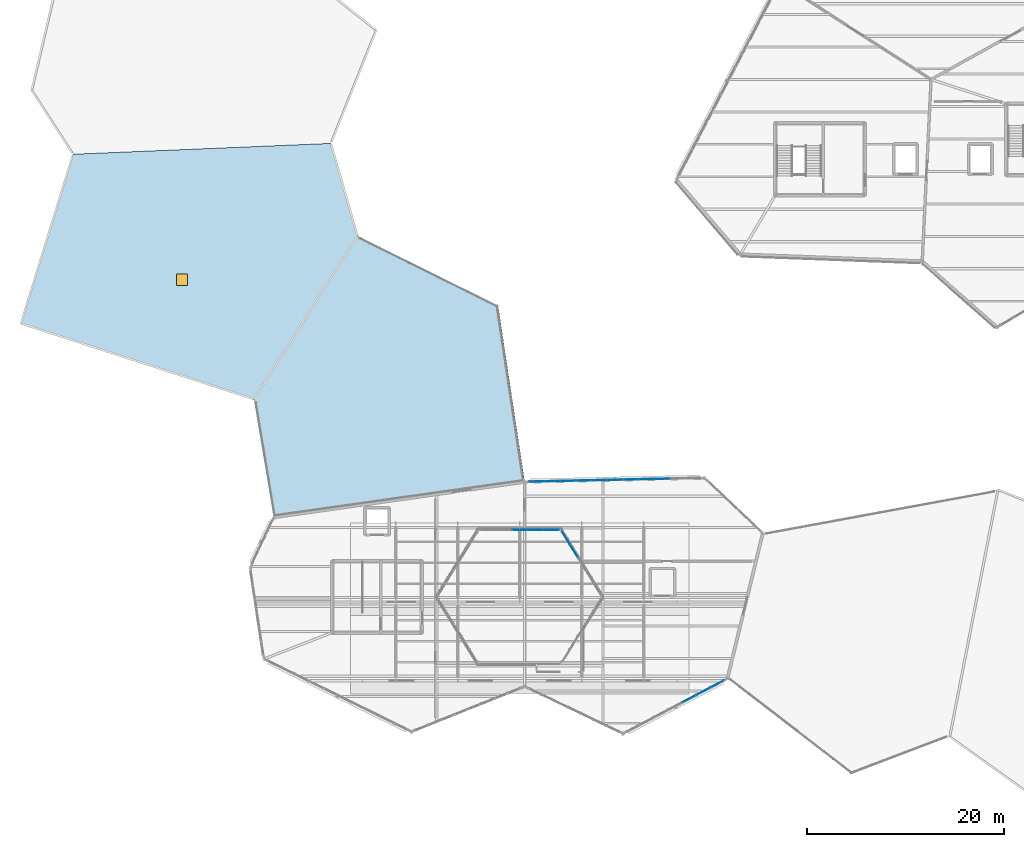
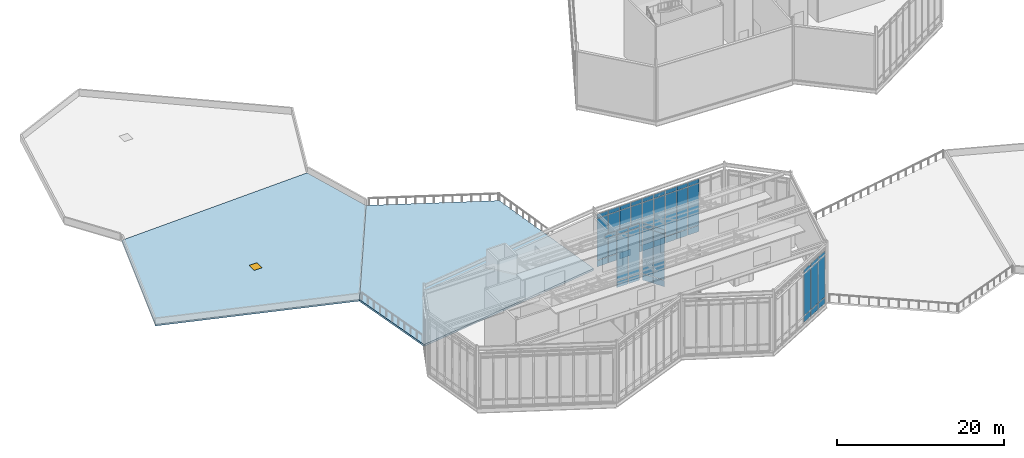
# One storey, part 45 of 66: 49 plates, 2 slabs, 1 door, 1 opening, 4 elements without a shape of their own.
"""IFC4 building model written with IfcOpenShell, lengths in metres."""

from ifc_helpers import new_model, si_unit, direction, frame, origin, origin_2d, place, context, subcontext, project, spatial, polyline, rectangle, outline, extrude, material, layer, layer_set, type_object, element, fill, aggregate, save


model = new_model("IFC4")

# Units and contexts
model_context = context("Model", 3, precision=1e-05, world=origin(), true_north=direction((0.0, 1.0)))
body_context = subcontext(model_context, "Body", "Model", "MODEL_VIEW")
ifc_project = project(units=[si_unit("LENGTHUNIT", "METRE"), si_unit("AREAUNIT", "SQUARE_METRE"), si_unit("VOLUMEUNIT", "CUBIC_METRE"), si_unit("PLANEANGLEUNIT", "RADIAN"), si_unit("MASSUNIT", "GRAM", prefix="KILO")], contexts=[model_context])

# Site, building, storey
site_placement = place(None, origin())
site = spatial("IfcSite", under=ifc_project, at=site_placement, CompositionType="ELEMENT")
building_placement = place(site_placement, origin())
building = spatial("IfcBuilding", under=site, at=building_placement, Name="Tameran Prism Museum", CompositionType="ELEMENT")
storey_placement = place(building_placement, frame((0.0, 0.0, 19.800048828125)))
storey = spatial("IfcBuildingStorey", under=building, at=storey_placement, Name="L04", CompositionType="ELEMENT", Elevation=19.800048828125)

# Curtain wall, plates
ifc_material_1 = material(Name="Anodised Aluminium 6063-T6 and Cyclone Solar Glass", Category="aluminium")
curtain_wall_type_1 = type_object("IfcCurtainWallType", Name="CW-ATR-769x844", PredefinedType="USERDEFINED", material=ifc_material_1)
curtain_wall_1_placement = place(storey_placement, origin())
curtain_wall_1 = element("IfcCurtainWall", 1, at=curtain_wall_1_placement, inside=storey, type_object=curtain_wall_type_1, Name="Unitised Curtain Wall CW-018", ObjectType="UNITISED CURTAIN WALL", PredefinedType="USERDEFINED")
ifc_material_2 = material(Name="Low-E Laminated Solar Glass", Category="glass")
ifc_layer_1 = layer(ifc_material_2, 0.028076171875)
ifc_layer_set_1 = layer_set([ifc_layer_1])
plate_type_1 = type_object("IfcPlateType", Name="CW-PNL-G28", PredefinedType="CURTAIN_PANEL", material=ifc_layer_set_1)
plate_1_placement = place(storey_placement, frame((82.49169921875, 41.208740234375, 0.06494140625), z_axis=(0.0, 0.0, 1.0), x_axis=(-0.525503952357, 0.850791158897, 0.0)))
plate_1 = element("IfcPlate", 2, at=plate_1_placement, type_object=plate_type_1, Name="CW-018 panel 4.1", PredefinedType="CURTAIN_PANEL", context=body_context, shape_type="SweptSolid", body=[
    extrude(rectangle(XDim=1.473388671875, YDim=0.028076171875, at=origin_2d()), origin(), (0.0, 0.0, 1.0), 0.902587890625),
])
plate_2_placement = place(storey_placement, frame((82.49169921875, 41.208740234375, 1.0322265625), z_axis=(0.0, 0.0, 1.0), x_axis=(-0.525503952357, 0.850791158897, 0.0)))
plate_2 = element("IfcPlate", 3, at=plate_2_placement, type_object=plate_type_1, Name="CW-018 panel 4.2", PredefinedType="CURTAIN_PANEL", context=body_context, shape_type="SweptSolid", body=[
    extrude(rectangle(XDim=1.473388671875, YDim=0.028076171875, at=origin_2d()), origin(), (0.0, 0.0, 1.0), 6.695068359375),
])
plate_3_placement = place(storey_placement, frame((82.49169921875, 41.208740234375, 7.79248046875), z_axis=(0.0, 0.0, 1.0), x_axis=(-0.525503952357, 0.850791158897, 0.0)))
plate_3 = element("IfcPlate", 4, at=plate_3_placement, type_object=plate_type_1, Name="CW-018 panel 4.3", PredefinedType="CURTAIN_PANEL", context=body_context, shape_type="SweptSolid", body=[
    extrude(rectangle(XDim=1.473388671875, YDim=0.028076171875, at=origin_2d()), origin(), (0.0, 0.0, 1.0), 0.58251953125),
])
plate_4_placement = place(storey_placement, frame((81.691650390625, 42.503662109375, 0.06494140625), z_axis=(0.0, 0.0, 1.0), x_axis=(-0.525503952357, 0.850791158897, 0.0)))
plate_4 = element("IfcPlate", 5, at=plate_4_placement, type_object=plate_type_1, Name="CW-018 panel 5.1", PredefinedType="CURTAIN_PANEL", context=body_context, shape_type="SweptSolid", body=[
    extrude(rectangle(XDim=1.44091796875, YDim=0.028076171875, at=origin_2d()), origin(), (0.0, 0.0, 1.0), 0.902587890625),
])
plate_5_placement = place(storey_placement, frame((81.691650390625, 42.503662109375, 1.0322265625), z_axis=(0.0, 0.0, 1.0), x_axis=(-0.525503952357, 0.850791158897, 0.0)))
plate_5 = element("IfcPlate", 6, at=plate_5_placement, type_object=plate_type_1, Name="CW-018 panel 5.2", PredefinedType="CURTAIN_PANEL", context=body_context, shape_type="SweptSolid", body=[
    extrude(rectangle(XDim=1.44091796875, YDim=0.028076171875, at=origin_2d()), origin(), (0.0, 0.0, 1.0), 6.695068359375),
])
plate_6_placement = place(storey_placement, frame((81.691650390625, 42.503662109375, 7.79248046875), z_axis=(0.0, 0.0, 1.0), x_axis=(-0.525503952357, 0.850791158897, 0.0)))
plate_6 = element("IfcPlate", 7, at=plate_6_placement, type_object=plate_type_1, Name="CW-018 panel 5.3", PredefinedType="CURTAIN_PANEL", context=body_context, shape_type="SweptSolid", body=[
    extrude(rectangle(XDim=1.44091796875, YDim=0.028076171875, at=origin_2d()), origin(), (0.0, 0.0, 1.0), 0.58251953125),
])
aggregate(curtain_wall_1, [plate_1, plate_2, plate_3, plate_4, plate_5, plate_6])

ifc_material_3 = material(Name="Anodised Aluminium 6063-T6 and Cyclone Solar Glass", Category="aluminium")
curtain_wall_type_2 = type_object("IfcCurtainWallType", Name="CW-ATR-810x844", PredefinedType="USERDEFINED", material=ifc_material_3)
curtain_wall_2_placement = place(storey_placement, origin())
curtain_wall_2 = element("IfcCurtainWall", 8, at=curtain_wall_2_placement, inside=storey, type_object=curtain_wall_type_2, Name="Unitised Curtain Wall CW-019", ObjectType="UNITISED CURTAIN WALL", PredefinedType="USERDEFINED")
plate_7_placement = place(storey_placement, frame((80.2236328125, 43.300048828125, 0.06494140625), z_axis=(0.0, 0.0, 1.0), x_axis=(-1.0, 0.0, 0.0)))
plate_7 = element("IfcPlate", 9, at=plate_7_placement, type_object=plate_type_1, Name="CW-019 panel 1.1", PredefinedType="CURTAIN_PANEL", context=body_context, shape_type="SweptSolid", body=[
    extrude(rectangle(XDim=1.5224609375, YDim=0.028076171875, at=origin_2d()), origin(), (0.0, 0.0, 1.0), 0.902587890625),
])
plate_8_placement = place(storey_placement, frame((80.2236328125, 43.300048828125, 1.0322265625), z_axis=(0.0, 0.0, 1.0), x_axis=(-1.0, 0.0, 0.0)))
plate_8 = element("IfcPlate", 10, at=plate_8_placement, type_object=plate_type_1, Name="CW-019 panel 1.2", PredefinedType="CURTAIN_PANEL", context=body_context, shape_type="SweptSolid", body=[
    extrude(rectangle(XDim=1.5224609375, YDim=0.028076171875, at=origin_2d()), origin(), (0.0, 0.0, 1.0), 6.695068359375),
])
plate_9_placement = place(storey_placement, frame((80.2236328125, 43.300048828125, 7.79248046875), z_axis=(0.0, 0.0, 1.0), x_axis=(-1.0, 0.0, 0.0)))
plate_9 = element("IfcPlate", 11, at=plate_9_placement, type_object=plate_type_1, Name="CW-019 panel 1.3", PredefinedType="CURTAIN_PANEL", context=body_context, shape_type="SweptSolid", body=[
    extrude(rectangle(XDim=1.5224609375, YDim=0.028076171875, at=origin_2d()), origin(), (0.0, 0.0, 1.0), 0.58251953125),
])
plate_10_placement = place(storey_placement, frame((78.6201171875, 43.300048828125, 0.06494140625), z_axis=(0.0, 0.0, 1.0), x_axis=(-1.0, 0.0, 0.0)))
plate_10 = element("IfcPlate", 12, at=plate_10_placement, type_object=plate_type_1, Name="CW-019 panel 2.1", PredefinedType="CURTAIN_PANEL", context=body_context, shape_type="SweptSolid", body=[
    extrude(rectangle(XDim=1.554931640625, YDim=0.028076171875, at=origin_2d()), origin(), (0.0, 0.0, 1.0), 0.902587890625),
])
plate_11_placement = place(storey_placement, frame((78.6201171875, 43.300048828125, 1.0322265625), z_axis=(0.0, 0.0, 1.0), x_axis=(-1.0, 0.0, 0.0)))
plate_11 = element("IfcPlate", 13, at=plate_11_placement, type_object=plate_type_1, Name="CW-019 panel 2.2", PredefinedType="CURTAIN_PANEL", context=body_context, shape_type="SweptSolid", body=[
    extrude(rectangle(XDim=1.554931640625, YDim=0.028076171875, at=origin_2d()), origin(), (0.0, 0.0, 1.0), 6.695068359375),
])
plate_12_placement = place(storey_placement, frame((78.6201171875, 43.300048828125, 7.79248046875), z_axis=(0.0, 0.0, 1.0), x_axis=(-1.0, 0.0, 0.0)))
plate_12 = element("IfcPlate", 14, at=plate_12_placement, type_object=plate_type_1, Name="CW-019 panel 2.3", PredefinedType="CURTAIN_PANEL", context=body_context, shape_type="SweptSolid", body=[
    extrude(rectangle(XDim=1.554931640625, YDim=0.028076171875, at=origin_2d()), origin(), (0.0, 0.0, 1.0), 0.58251953125),
])
plate_13_placement = place(storey_placement, frame((77.0, 43.300048828125, 7.79248046875), z_axis=(0.0, 0.0, 1.0), x_axis=(-1.0, 0.0, 0.0)))
plate_13 = element("IfcPlate", 15, at=plate_13_placement, type_object=plate_type_1, Name="CW-019 panel 3.3", PredefinedType="CURTAIN_PANEL", context=body_context, shape_type="SweptSolid", body=[
    extrude(rectangle(XDim=1.554931640625, YDim=0.028076171875, at=origin_2d()), origin(), (0.0, 0.0, 1.0), 0.58251953125),
])
aggregate(curtain_wall_2, [plate_7, plate_8, plate_9, plate_10, plate_11, plate_12, plate_13])

ifc_material_4 = material(Name="Anodised Aluminium 6063-T6 and Cyclone Solar Glass", Category="aluminium")
curtain_wall_type_3 = type_object("IfcCurtainWallType", Name="CW-FAC-1129x782", PredefinedType="USERDEFINED", material=ifc_material_4)
curtain_wall_3_placement = place(storey_placement, origin())
curtain_wall_3 = element("IfcCurtainWall", 16, at=curtain_wall_3_placement, inside=storey, type_object=curtain_wall_type_3, Name="Unitised Curtain Wall CW-161", ObjectType="UNITISED CURTAIN WALL", PredefinedType="USERDEFINED")
plate_14_placement = place(storey_placement, frame((97.0615234375, 27.651611328125, 0.0751953125), z_axis=(0.0, 0.0, 1.0), x_axis=(-0.884175436294, -0.467155004099, 0.0)))
plate_14 = element("IfcPlate", 17, at=plate_14_placement, type_object=plate_type_1, Name="CW-161 panel 1.1", PredefinedType="CURTAIN_PANEL", context=body_context, shape_type="SweptSolid", body=[
    extrude(rectangle(XDim=1.500244140625, YDim=0.028076171875, at=origin_2d()), origin(), (0.0, 0.0, 1.0), 0.887451171875),
])
plate_15_placement = place(storey_placement, frame((97.0615234375, 27.651611328125, 1.03759765625), z_axis=(0.0, 0.0, 1.0), x_axis=(-0.884175436294, -0.467155004099, 0.0)))
plate_15 = element("IfcPlate", 18, at=plate_15_placement, type_object=plate_type_1, Name="CW-161 panel 1.2", PredefinedType="CURTAIN_PANEL", context=body_context, shape_type="SweptSolid", body=[
    extrude(rectangle(XDim=1.500244140625, YDim=0.028076171875, at=origin_2d()), origin(), (0.0, 0.0, 1.0), 6.06494140625),
])
plate_16_placement = place(storey_placement, frame((97.0615234375, 27.651611328125, 7.177490234375), z_axis=(0.0, 0.0, 1.0), x_axis=(-0.884175436294, -0.467155004099, 0.0)))
plate_16 = element("IfcPlate", 19, at=plate_16_placement, type_object=plate_type_1, Name="CW-161 panel 1.3", PredefinedType="CURTAIN_PANEL", context=body_context, shape_type="SweptSolid", body=[
    extrude(rectangle(XDim=1.500244140625, YDim=0.028076171875, at=origin_2d()), origin(), (0.0, 0.0, 1.0), 0.5673828125),
])
plate_17_placement = place(storey_placement, frame((95.652099609375, 26.90673828125, 0.0751953125), z_axis=(0.0, 0.0, 1.0), x_axis=(-0.884175436294, -0.467155004099, 0.0)))
plate_17 = element("IfcPlate", 20, at=plate_17_placement, type_object=plate_type_1, Name="CW-161 panel 2.1", PredefinedType="CURTAIN_PANEL", context=body_context, shape_type="SweptSolid", body=[
    extrude(rectangle(XDim=1.537841796875, YDim=0.028076171875, at=origin_2d()), origin(), (0.0, 0.0, 1.0), 0.887451171875),
])
plate_18_placement = place(storey_placement, frame((95.652099609375, 26.90673828125, 1.03759765625), z_axis=(0.0, 0.0, 1.0), x_axis=(-0.884175436294, -0.467155004099, 0.0)))
plate_18 = element("IfcPlate", 21, at=plate_18_placement, type_object=plate_type_1, Name="CW-161 panel 2.2", PredefinedType="CURTAIN_PANEL", context=body_context, shape_type="SweptSolid", body=[
    extrude(rectangle(XDim=1.537841796875, YDim=0.028076171875, at=origin_2d()), origin(), (0.0, 0.0, 1.0), 6.06494140625),
])
plate_19_placement = place(storey_placement, frame((95.652099609375, 26.90673828125, 7.177490234375), z_axis=(0.0, 0.0, 1.0), x_axis=(-0.884175436294, -0.467155004099, 0.0)))
plate_19 = element("IfcPlate", 22, at=plate_19_placement, type_object=plate_type_1, Name="CW-161 panel 2.3", PredefinedType="CURTAIN_PANEL", context=body_context, shape_type="SweptSolid", body=[
    extrude(rectangle(XDim=1.537841796875, YDim=0.028076171875, at=origin_2d()), origin(), (0.0, 0.0, 1.0), 0.5673828125),
])
plate_20_placement = place(storey_placement, frame((94.22607421875, 26.1533203125, 0.0751953125), z_axis=(0.0, 0.0, 1.0), x_axis=(-0.884175436294, -0.467155004099, 0.0)))
plate_20 = element("IfcPlate", 23, at=plate_20_placement, type_object=plate_type_1, Name="CW-161 panel 3.1", PredefinedType="CURTAIN_PANEL", context=body_context, shape_type="SweptSolid", body=[
    extrude(rectangle(XDim=1.537841796875, YDim=0.028076171875, at=origin_2d()), origin(), (0.0, 0.0, 1.0), 0.887451171875),
])
plate_21_placement = place(storey_placement, frame((94.22607421875, 26.1533203125, 1.03759765625), z_axis=(0.0, 0.0, 1.0), x_axis=(-0.884175436294, -0.467155004099, 0.0)))
plate_21 = element("IfcPlate", 24, at=plate_21_placement, type_object=plate_type_1, Name="CW-161 panel 3.2", PredefinedType="CURTAIN_PANEL", context=body_context, shape_type="SweptSolid", body=[
    extrude(rectangle(XDim=1.537841796875, YDim=0.028076171875, at=origin_2d()), origin(), (0.0, 0.0, 1.0), 6.06494140625),
])
plate_22_placement = place(storey_placement, frame((94.22607421875, 26.1533203125, 7.177490234375), z_axis=(0.0, 0.0, 1.0), x_axis=(-0.884175436294, -0.467155004099, 0.0)))
plate_22 = element("IfcPlate", 25, at=plate_22_placement, type_object=plate_type_1, Name="CW-161 panel 3.3", PredefinedType="CURTAIN_PANEL", context=body_context, shape_type="SweptSolid", body=[
    extrude(rectangle(XDim=1.537841796875, YDim=0.028076171875, at=origin_2d()), origin(), (0.0, 0.0, 1.0), 0.5673828125),
])
aggregate(curtain_wall_3, [plate_14, plate_15, plate_16, plate_17, plate_18, plate_19, plate_20, plate_21, plate_22])

ifc_material_5 = material(Name="Anodised Aluminium 6063-T6 and Cyclone Solar Glass", Category="aluminium")
curtain_wall_type_4 = type_object("IfcCurtainWallType", Name="CW-FAC-1754x782", PredefinedType="USERDEFINED", material=ifc_material_5)
curtain_wall_4_placement = place(storey_placement, origin())
curtain_wall_4 = element("IfcCurtainWall", 26, at=curtain_wall_4_placement, inside=storey, type_object=curtain_wall_type_4, Name="Unitised Curtain Wall CW-163", ObjectType="UNITISED CURTAIN WALL", PredefinedType="USERDEFINED")
ifc_material_6 = material(Name="Cyclone Laminated Solar Glass", Category="glass")
ifc_layer_2 = layer(ifc_material_6, 0.031982421875)
ifc_layer_set_2 = layer_set([ifc_layer_2])
plate_type_2 = type_object("IfcPlateType", Name="CW-PNL-G32", PredefinedType="CURTAIN_PANEL", material=ifc_layer_set_2)
plate_23_placement = place(storey_placement, frame((78.7236328125, 48.226806640625, 0.06494140625), z_axis=(0.0, 0.0, 1.0), x_axis=(0.999761684053, 0.021830600058, 0.0)))
plate_23 = element("IfcPlate", 27, at=plate_23_placement, type_object=plate_type_2, Name="CW-163 panel 1.1", PredefinedType="CURTAIN_PANEL", context=body_context, shape_type="SweptSolid", body=[
    extrude(rectangle(XDim=1.497314453125, YDim=0.031982421875, at=origin_2d()), origin(), (0.0, 0.0, 1.0), 0.902587890625),
])
plate_24_placement = place(storey_placement, frame((78.7236328125, 48.226806640625, 1.03271484375), z_axis=(0.0, 0.0, 1.0), x_axis=(0.999761684053, 0.021830600058, 0.0)))
plate_24 = element("IfcPlate", 28, at=plate_24_placement, type_object=plate_type_2, Name="CW-163 panel 1.2", PredefinedType="CURTAIN_PANEL", context=body_context, shape_type="SweptSolid", body=[
    extrude(rectangle(XDim=1.497314453125, YDim=0.031982421875, at=origin_2d()), origin(), (0.0, 0.0, 1.0), 6.074951171875),
])
plate_25_placement = place(storey_placement, frame((78.7236328125, 48.226806640625, 7.17236328125), z_axis=(0.0, 0.0, 1.0), x_axis=(0.999761684053, 0.021830600058, 0.0)))
plate_25 = element("IfcPlate", 29, at=plate_25_placement, type_object=plate_type_2, Name="CW-163 panel 1.3", PredefinedType="CURTAIN_PANEL", context=body_context, shape_type="SweptSolid", body=[
    extrude(rectangle(XDim=1.497314453125, YDim=0.031982421875, at=origin_2d()), origin(), (0.0, 0.0, 1.0), 0.58251953125),
])
plate_26_placement = place(storey_placement, frame((80.3017578125, 48.26123046875, 0.06494140625), z_axis=(0.0, 0.0, 1.0), x_axis=(0.999761684053, 0.021830600058, 0.0)))
plate_26 = element("IfcPlate", 30, at=plate_26_placement, type_object=plate_type_2, Name="CW-163 panel 2.1", PredefinedType="CURTAIN_PANEL", context=body_context, shape_type="SweptSolid", body=[
    extrude(rectangle(XDim=1.530029296875, YDim=0.031982421875, at=origin_2d()), origin(), (0.0, 0.0, 1.0), 0.902587890625),
])
plate_27_placement = place(storey_placement, frame((80.3017578125, 48.26123046875, 1.03271484375), z_axis=(0.0, 0.0, 1.0), x_axis=(0.999761684053, 0.021830600058, 0.0)))
plate_27 = element("IfcPlate", 31, at=plate_27_placement, type_object=plate_type_2, Name="CW-163 panel 2.2", PredefinedType="CURTAIN_PANEL", context=body_context, shape_type="SweptSolid", body=[
    extrude(rectangle(XDim=1.530029296875, YDim=0.031982421875, at=origin_2d()), origin(), (0.0, 0.0, 1.0), 6.074951171875),
])
plate_28_placement = place(storey_placement, frame((80.3017578125, 48.26123046875, 7.17236328125), z_axis=(0.0, 0.0, 1.0), x_axis=(0.999761684053, 0.021830600058, 0.0)))
plate_28 = element("IfcPlate", 32, at=plate_28_placement, type_object=plate_type_2, Name="CW-163 panel 2.3", PredefinedType="CURTAIN_PANEL", context=body_context, shape_type="SweptSolid", body=[
    extrude(rectangle(XDim=1.530029296875, YDim=0.031982421875, at=origin_2d()), origin(), (0.0, 0.0, 1.0), 0.58251953125),
])
plate_29_placement = place(storey_placement, frame((81.896484375, 48.296142578125, 0.06494140625), z_axis=(0.0, 0.0, 1.0), x_axis=(0.999761684053, 0.021830600058, 0.0)))
plate_29 = element("IfcPlate", 33, at=plate_29_placement, type_object=plate_type_2, Name="CW-163 panel 3.1", PredefinedType="CURTAIN_PANEL", context=body_context, shape_type="SweptSolid", body=[
    extrude(rectangle(XDim=1.530029296875, YDim=0.031982421875, at=origin_2d()), origin(), (0.0, 0.0, 1.0), 0.902587890625),
])
plate_30_placement = place(storey_placement, frame((81.896484375, 48.296142578125, 1.03271484375), z_axis=(0.0, 0.0, 1.0), x_axis=(0.999761684053, 0.021830600058, 0.0)))
plate_30 = element("IfcPlate", 34, at=plate_30_placement, type_object=plate_type_2, Name="CW-163 panel 3.2", PredefinedType="CURTAIN_PANEL", context=body_context, shape_type="SweptSolid", body=[
    extrude(rectangle(XDim=1.530029296875, YDim=0.031982421875, at=origin_2d()), origin(), (0.0, 0.0, 1.0), 6.074951171875),
])
plate_31_placement = place(storey_placement, frame((81.896484375, 48.296142578125, 7.17236328125), z_axis=(0.0, 0.0, 1.0), x_axis=(0.999761684053, 0.021830600058, 0.0)))
plate_31 = element("IfcPlate", 35, at=plate_31_placement, type_object=plate_type_2, Name="CW-163 panel 3.3", PredefinedType="CURTAIN_PANEL", context=body_context, shape_type="SweptSolid", body=[
    extrude(rectangle(XDim=1.530029296875, YDim=0.031982421875, at=origin_2d()), origin(), (0.0, 0.0, 1.0), 0.58251953125),
])
plate_32_placement = place(storey_placement, frame((83.490966796875, 48.330810546875, 0.06494140625), z_axis=(0.0, 0.0, 1.0), x_axis=(0.999761684053, 0.021830600058, 0.0)))
plate_32 = element("IfcPlate", 36, at=plate_32_placement, type_object=plate_type_2, Name="CW-163 panel 4.1", PredefinedType="CURTAIN_PANEL", context=body_context, shape_type="SweptSolid", body=[
    extrude(rectangle(XDim=1.530029296875, YDim=0.031982421875, at=origin_2d()), origin(), (0.0, 0.0, 1.0), 0.902587890625),
])
plate_33_placement = place(storey_placement, frame((83.490966796875, 48.330810546875, 1.03271484375), z_axis=(0.0, 0.0, 1.0), x_axis=(0.999761684053, 0.021830600058, 0.0)))
plate_33 = element("IfcPlate", 37, at=plate_33_placement, type_object=plate_type_2, Name="CW-163 panel 4.2", PredefinedType="CURTAIN_PANEL", context=body_context, shape_type="SweptSolid", body=[
    extrude(rectangle(XDim=1.530029296875, YDim=0.031982421875, at=origin_2d()), origin(), (0.0, 0.0, 1.0), 6.074951171875),
])
plate_34_placement = place(storey_placement, frame((83.490966796875, 48.330810546875, 7.17236328125), z_axis=(0.0, 0.0, 1.0), x_axis=(0.999761684053, 0.021830600058, 0.0)))
plate_34 = element("IfcPlate", 38, at=plate_34_placement, type_object=plate_type_2, Name="CW-163 panel 4.3", PredefinedType="CURTAIN_PANEL", context=body_context, shape_type="SweptSolid", body=[
    extrude(rectangle(XDim=1.530029296875, YDim=0.031982421875, at=origin_2d()), origin(), (0.0, 0.0, 1.0), 0.58251953125),
])
plate_35_placement = place(storey_placement, frame((85.08544921875, 48.36572265625, 0.06494140625), z_axis=(0.0, 0.0, 1.0), x_axis=(0.999761684053, 0.021830600058, 0.0)))
plate_35 = element("IfcPlate", 39, at=plate_35_placement, type_object=plate_type_2, Name="CW-163 panel 5.1", PredefinedType="CURTAIN_PANEL", context=body_context, shape_type="SweptSolid", body=[
    extrude(rectangle(XDim=1.530029296875, YDim=0.031982421875, at=origin_2d()), origin(), (0.0, 0.0, 1.0), 0.902587890625),
])
plate_36_placement = place(storey_placement, frame((85.08544921875, 48.36572265625, 1.03271484375), z_axis=(0.0, 0.0, 1.0), x_axis=(0.999761684053, 0.021830600058, 0.0)))
plate_36 = element("IfcPlate", 40, at=plate_36_placement, type_object=plate_type_2, Name="CW-163 panel 5.2", PredefinedType="CURTAIN_PANEL", context=body_context, shape_type="SweptSolid", body=[
    extrude(rectangle(XDim=1.530029296875, YDim=0.031982421875, at=origin_2d()), origin(), (0.0, 0.0, 1.0), 6.074951171875),
])
plate_37_placement = place(storey_placement, frame((85.08544921875, 48.36572265625, 7.17236328125), z_axis=(0.0, 0.0, 1.0), x_axis=(0.999761684053, 0.021830600058, 0.0)))
plate_37 = element("IfcPlate", 41, at=plate_37_placement, type_object=plate_type_2, Name="CW-163 panel 5.3", PredefinedType="CURTAIN_PANEL", context=body_context, shape_type="SweptSolid", body=[
    extrude(rectangle(XDim=1.530029296875, YDim=0.031982421875, at=origin_2d()), origin(), (0.0, 0.0, 1.0), 0.58251953125),
])
plate_38_placement = place(storey_placement, frame((86.679931640625, 48.400390625, 0.06494140625), z_axis=(0.0, 0.0, 1.0), x_axis=(0.999761684053, 0.021830600058, 0.0)))
plate_38 = element("IfcPlate", 42, at=plate_38_placement, type_object=plate_type_2, Name="CW-163 panel 6.1", PredefinedType="CURTAIN_PANEL", context=body_context, shape_type="SweptSolid", body=[
    extrude(rectangle(XDim=1.530029296875, YDim=0.031982421875, at=origin_2d()), origin(), (0.0, 0.0, 1.0), 0.902587890625),
])
plate_39_placement = place(storey_placement, frame((86.679931640625, 48.400390625, 1.03271484375), z_axis=(0.0, 0.0, 1.0), x_axis=(0.999761684053, 0.021830600058, 0.0)))
plate_39 = element("IfcPlate", 43, at=plate_39_placement, type_object=plate_type_2, Name="CW-163 panel 6.2", PredefinedType="CURTAIN_PANEL", context=body_context, shape_type="SweptSolid", body=[
    extrude(rectangle(XDim=1.530029296875, YDim=0.031982421875, at=origin_2d()), origin(), (0.0, 0.0, 1.0), 6.074951171875),
])
plate_40_placement = place(storey_placement, frame((86.679931640625, 48.400390625, 7.17236328125), z_axis=(0.0, 0.0, 1.0), x_axis=(0.999761684053, 0.021830600058, 0.0)))
plate_40 = element("IfcPlate", 44, at=plate_40_placement, type_object=plate_type_2, Name="CW-163 panel 6.3", PredefinedType="CURTAIN_PANEL", context=body_context, shape_type="SweptSolid", body=[
    extrude(rectangle(XDim=1.530029296875, YDim=0.031982421875, at=origin_2d()), origin(), (0.0, 0.0, 1.0), 0.58251953125),
])
plate_41_placement = place(storey_placement, frame((88.274658203125, 48.435302734375, 0.06494140625), z_axis=(0.0, 0.0, 1.0), x_axis=(0.999761684053, 0.021830600058, 0.0)))
plate_41 = element("IfcPlate", 45, at=plate_41_placement, type_object=plate_type_2, Name="CW-163 panel 7.1", PredefinedType="CURTAIN_PANEL", context=body_context, shape_type="SweptSolid", body=[
    extrude(rectangle(XDim=1.530029296875, YDim=0.031982421875, at=origin_2d()), origin(), (0.0, 0.0, 1.0), 0.902587890625),
])
plate_42_placement = place(storey_placement, frame((88.274658203125, 48.435302734375, 1.03271484375), z_axis=(0.0, 0.0, 1.0), x_axis=(0.999761684053, 0.021830600058, 0.0)))
plate_42 = element("IfcPlate", 46, at=plate_42_placement, type_object=plate_type_2, Name="CW-163 panel 7.2", PredefinedType="CURTAIN_PANEL", context=body_context, shape_type="SweptSolid", body=[
    extrude(rectangle(XDim=1.530029296875, YDim=0.031982421875, at=origin_2d()), origin(), (0.0, 0.0, 1.0), 6.074951171875),
])
plate_43_placement = place(storey_placement, frame((88.274658203125, 48.435302734375, 7.17236328125), z_axis=(0.0, 0.0, 1.0), x_axis=(0.999761684053, 0.021830600058, 0.0)))
plate_43 = element("IfcPlate", 47, at=plate_43_placement, type_object=plate_type_2, Name="CW-163 panel 7.3", PredefinedType="CURTAIN_PANEL", context=body_context, shape_type="SweptSolid", body=[
    extrude(rectangle(XDim=1.530029296875, YDim=0.031982421875, at=origin_2d()), origin(), (0.0, 0.0, 1.0), 0.58251953125),
])
plate_44_placement = place(storey_placement, frame((89.869140625, 48.47021484375, 0.06494140625), z_axis=(0.0, 0.0, 1.0), x_axis=(0.999761684053, 0.021830600058, 0.0)))
plate_44 = element("IfcPlate", 48, at=plate_44_placement, type_object=plate_type_2, Name="CW-163 panel 8.1", PredefinedType="CURTAIN_PANEL", context=body_context, shape_type="SweptSolid", body=[
    extrude(rectangle(XDim=1.530029296875, YDim=0.031982421875, at=origin_2d()), origin(), (0.0, 0.0, 1.0), 0.902587890625),
])
plate_45_placement = place(storey_placement, frame((89.869140625, 48.47021484375, 1.03271484375), z_axis=(0.0, 0.0, 1.0), x_axis=(0.999761684053, 0.021830600058, 0.0)))
plate_45 = element("IfcPlate", 49, at=plate_45_placement, type_object=plate_type_2, Name="CW-163 panel 8.2", PredefinedType="CURTAIN_PANEL", context=body_context, shape_type="SweptSolid", body=[
    extrude(rectangle(XDim=1.530029296875, YDim=0.031982421875, at=origin_2d()), origin(), (0.0, 0.0, 1.0), 6.074951171875),
])
plate_46_placement = place(storey_placement, frame((89.869140625, 48.47021484375, 7.17236328125), z_axis=(0.0, 0.0, 1.0), x_axis=(0.999761684053, 0.021830600058, 0.0)))
plate_46 = element("IfcPlate", 50, at=plate_46_placement, type_object=plate_type_2, Name="CW-163 panel 8.3", PredefinedType="CURTAIN_PANEL", context=body_context, shape_type="SweptSolid", body=[
    extrude(rectangle(XDim=1.530029296875, YDim=0.031982421875, at=origin_2d()), origin(), (0.0, 0.0, 1.0), 0.58251953125),
])
plate_47_placement = place(storey_placement, frame((91.463623046875, 48.5048828125, 0.06494140625), z_axis=(0.0, 0.0, 1.0), x_axis=(0.999761684053, 0.021830600058, 0.0)))
plate_47 = element("IfcPlate", 51, at=plate_47_placement, type_object=plate_type_2, Name="CW-163 panel 9.1", PredefinedType="CURTAIN_PANEL", context=body_context, shape_type="SweptSolid", body=[
    extrude(rectangle(XDim=1.530029296875, YDim=0.031982421875, at=origin_2d()), origin(), (0.0, 0.0, 1.0), 0.902587890625),
])
plate_48_placement = place(storey_placement, frame((91.463623046875, 48.5048828125, 1.03271484375), z_axis=(0.0, 0.0, 1.0), x_axis=(0.999761684053, 0.021830600058, 0.0)))
plate_48 = element("IfcPlate", 52, at=plate_48_placement, type_object=plate_type_2, Name="CW-163 panel 9.2", PredefinedType="CURTAIN_PANEL", context=body_context, shape_type="SweptSolid", body=[
    extrude(rectangle(XDim=1.530029296875, YDim=0.031982421875, at=origin_2d()), origin(), (0.0, 0.0, 1.0), 6.074951171875),
])
plate_49_placement = place(storey_placement, frame((91.463623046875, 48.5048828125, 7.17236328125), z_axis=(0.0, 0.0, 1.0), x_axis=(0.999761684053, 0.021830600058, 0.0)))
plate_49 = element("IfcPlate", 53, at=plate_49_placement, type_object=plate_type_2, Name="CW-163 panel 9.3", PredefinedType="CURTAIN_PANEL", context=body_context, shape_type="SweptSolid", body=[
    extrude(rectangle(XDim=1.530029296875, YDim=0.031982421875, at=origin_2d()), origin(), (0.0, 0.0, 1.0), 0.58251953125),
])
aggregate(curtain_wall_4, [plate_23, plate_24, plate_25, plate_26, plate_27, plate_28, plate_29, plate_30, plate_31, plate_32, plate_33, plate_34, plate_35, plate_36, plate_37, plate_38, plate_39, plate_40, plate_41, plate_42, plate_43, plate_44, plate_45, plate_46, plate_47, plate_48, plate_49])

# Slab, opening, door
ifc_material_7 = material(Name="Concrete N40 (40 MPa)", Category="concrete")
ifc_layer_3 = layer(ifc_material_7, 0.22998046875)
ifc_layer_set_3 = layer_set([ifc_layer_3])
slab_type_1 = type_object("IfcSlabType", Name="SL-ROOF-230", PredefinedType="ROOF", material=ifc_layer_set_3)
slab_1_placement = place(storey_placement, frame((0.0, 0.0, -0.22998046875)))
slab_1 = element("IfcSlab", 54, at=slab_1_placement, inside=storey, type_object=slab_type_1, Name="Sedum Cool Roof P15 L04", PredefinedType="ROOF", context=body_context, shape_type="SweptSolid", body=[
    extrude(outline(polyline([(50.0, 56.60009765625), (60.5, 73.199951171875), (57.800048828125, 82.60009765625), (31.60009765625, 81.5), (26.300048828125, 64.300048828125), (50.0, 56.60009765625)])), origin(), (0.0, 0.0, 1.0), 0.22998046875),
])
opening_placement = place(slab_1_placement, frame((42.677978515625, 68.75, 0.0)))
opening = element("IfcOpeningElement", 55, at=opening_placement, cuts=slab_1, Name="Opening RH-05", PredefinedType="OPENING", context=body_context, shape_type="SweptSolid", body=[
    extrude(rectangle(XDim=1.10009765625, YDim=1.199951171875, at=origin_2d()), frame((0.0, 0.0, -0.010009765625)), (0.0, 0.0, 1.0), 0.25),
])
ifc_material_8 = material(Name="Cyclone-Rated Anodised Aluminium 6063-T6 and Laminated Glass", Category="aluminium")
door_type = type_object("IfcDoorType", Name="DR-HAT-ROOF", OperationType="SINGLE_SWING_LEFT", PredefinedType="TRAPDOOR", material=ifc_material_8)
door_placement = place(opening_placement, frame((0.0, 0.0, 0.179931640625)))
door = element("IfcDoor", 56, at=door_placement, inside=storey, type_object=door_type, Name="Roof Maintenance Hatch RH-05", OperationType="SINGLE_SWING_LEFT", OverallHeight=1.199951171875, OverallWidth=1.10009765625, PredefinedType="TRAPDOOR", context=body_context, shape_type="SweptSolid", body=[
    extrude(rectangle(XDim=1.10009765625, YDim=1.199951171875, at=origin_2d()), origin(), (0.0, 0.0, 1.0), 0.050048828125),
])
fill(opening, door)

# Slab
ifc_material_9 = material(Name="Concrete N40 (40 MPa)", Category="concrete")
ifc_layer_4 = layer(ifc_material_9, 0.280029296875)
ifc_layer_set_4 = layer_set([ifc_layer_4])
slab_type_2 = type_object("IfcSlabType", Name="SL-TER-280", PredefinedType="USERDEFINED", material=ifc_layer_set_4)
slab_2_placement = place(storey_placement, frame((0.0, 0.0, -0.280029296875)))
element("IfcSlab", 57, at=slab_2_placement, inside=storey, type_object=slab_type_2, Name="Planted Roof Terrace TR-P07-L04", ObjectType="TERRACE", PredefinedType="USERDEFINED", context=body_context, shape_type="SweptSolid", body=[
    extrude(outline(polyline([(50.0, 56.60009765625), (52.0, 44.60009765625), (77.5, 48.199951171875), (74.800048828125, 66.10009765625), (60.5, 73.199951171875), (50.0, 56.60009765625)])), origin(), (0.0, 0.0, 1.0), 0.280029296875),
])

save(model, "model.ifc")
